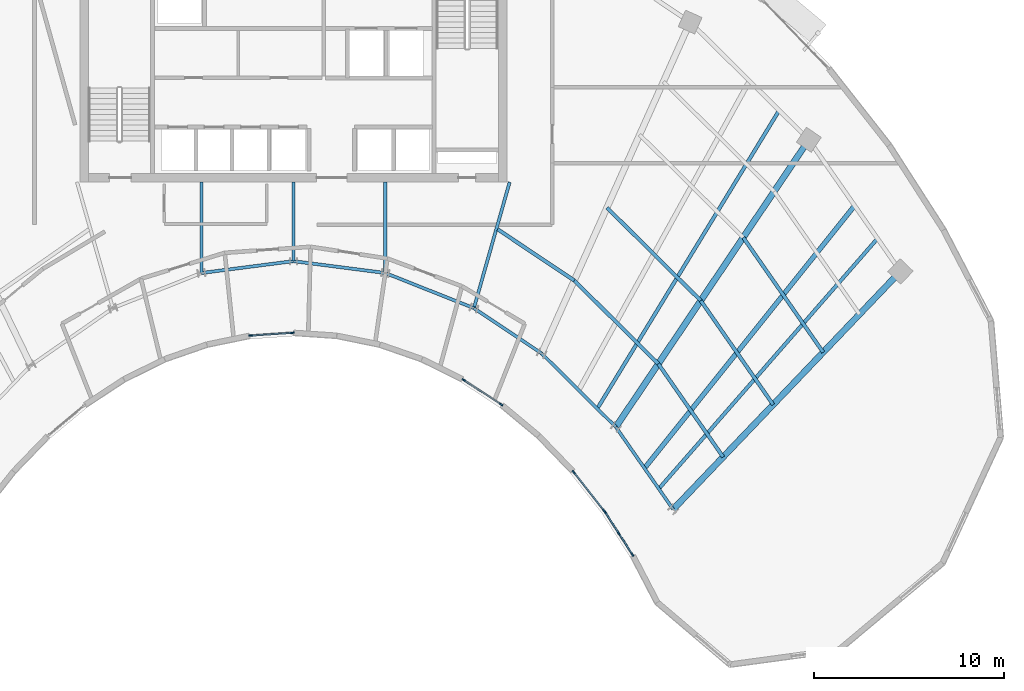
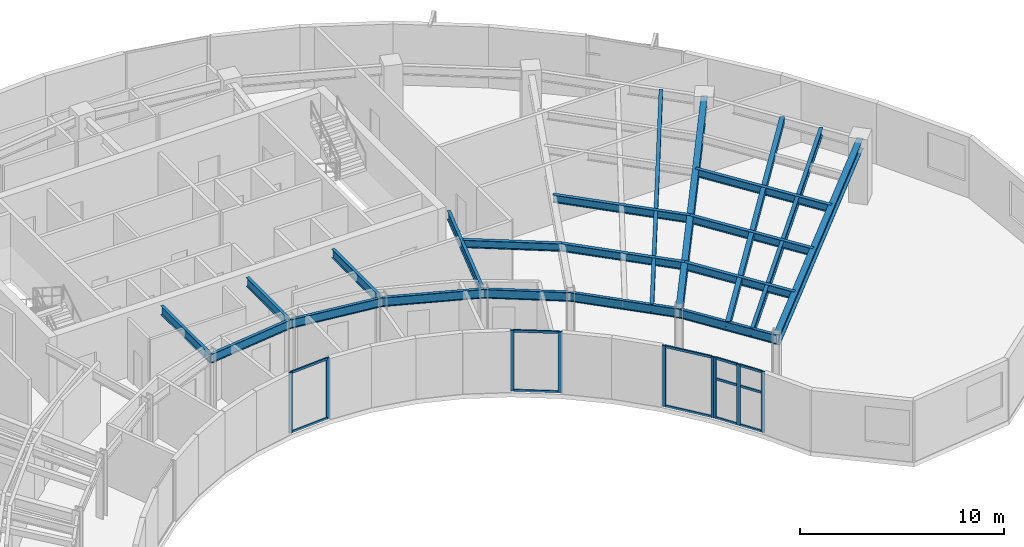
# One storey, part 3 of 14: 21 beams, 21 members, 4 elements without a shape of their own.
"""IFC4 building model written with IfcOpenShell, lengths in metres."""

from ifc_helpers import new_model, si_unit, direction, frame, origin, origin_2d, place, context, subcontext, project, spatial, rectangle, hollow_rectangle, i_section, extrude, source, transform, mapped, material, layer, layer_set, material_profile, profile_set, type_object, type_shapes, element, aggregate, save


model = new_model("IFC4")

# Units and contexts
model_context = context("Model", 3, precision=1e-05, world=origin(), true_north=direction((0.0, 1.0)))
body_context = subcontext(model_context, "Body", "Model", "MODEL_VIEW")
ifc_project = project(units=[si_unit("LENGTHUNIT", "METRE"), si_unit("AREAUNIT", "SQUARE_METRE"), si_unit("VOLUMEUNIT", "CUBIC_METRE"), si_unit("PLANEANGLEUNIT", "RADIAN"), si_unit("MASSUNIT", "GRAM", prefix="KILO")], contexts=[model_context])

# Site, building, storey
site_placement = place(None, origin())
site = spatial("IfcSite", under=ifc_project, at=site_placement, CompositionType="ELEMENT")
building_placement = place(site_placement, origin())
building = spatial("IfcBuilding", under=site, at=building_placement, Name="Breltana Convention Tower", CompositionType="ELEMENT")
storey_placement = place(building_placement, frame((0.0, 0.0, 219.60009765625)))
storey = spatial("IfcBuildingStorey", under=building, at=storey_placement, Name="L53", CompositionType="ELEMENT", Elevation=219.60009765625)

# Beams
ifc_material_1 = material(Name="Steel ASTM A992 Grade 50", Category="steel")
ifc_material_profile_1 = material_profile(ifc_material_1, i_section(OverallWidth=0.19091796875, OverallDepth=0.4599609375, WebThickness=0.010009765625, FlangeThickness=0.01611328125, at=origin_2d()), Name="W18X55")
ifc_profile_set_1 = profile_set([ifc_material_profile_1], Name="Steel ASTM A992 Grade 50")
beam_type_1 = type_object("IfcBeamType", Name="BM-JSG-07", PredefinedType="JOIST", material=ifc_profile_set_1)
shared_shape_1 = source(origin(), body_context, "Body", "SweptSolid", [
    extrude(i_section(OverallWidth=0.19091796875, OverallDepth=0.4599609375, WebThickness=0.010009765625, FlangeThickness=0.01611328125, at=origin_2d()), origin(), (0.0, 0.0, 1.0), 4.854736328125),
])
beam_1_placement = place(storey_placement, frame((58.767578125, 57.71240234375, 3.409912109375), z_axis=(0.831485074305, -0.555547091801, 0.0), x_axis=(0.555547091801, 0.831485074305, 0.0)))
element("IfcBeam", 1, at=beam_1_placement, inside=storey, type_object=beam_type_1, Name="L53 Composite Floor Joist 08.1", PredefinedType="JOIST", context=body_context, shape_type="MappedRepresentation", body=[
    mapped(shared_shape_1, transform((0.0, 0.0, 0.0), scale=1.0)),
])
shared_shape_2 = source(origin(), body_context, "Body", "SweptSolid", [
    extrude(i_section(OverallWidth=0.19091796875, OverallDepth=0.4599609375, WebThickness=0.010009765625, FlangeThickness=0.01611328125, at=origin_2d()), origin(), (0.0, 0.0, 1.0), 6.2373046875),
])
beam_2_placement = place(storey_placement, frame((62.80419921875, 55.015380859375, 3.409912109375), z_axis=(0.710114292485, -0.704086423394, 0.0), x_axis=(0.704086423394, 0.710114292485, 0.0)))
element("IfcBeam", 2, at=beam_2_placement, inside=storey, type_object=beam_type_1, Name="L53 Composite Floor Joist 09.1", PredefinedType="JOIST", context=body_context, shape_type="MappedRepresentation", body=[
    mapped(shared_shape_2, transform((0.0, 0.0, 0.0), scale=1.0)),
])
shared_shape_3 = source(origin(), body_context, "Body", "SweptSolid", [
    extrude(i_section(OverallWidth=0.19091796875, OverallDepth=0.4599609375, WebThickness=0.010009765625, FlangeThickness=0.01611328125, at=origin_2d()), origin(), (0.0, 0.0, 1.0), 6.963134765625),
])
beam_3_placement = place(storey_placement, frame((64.526611328125, 58.8564453125, 3.409912109375), z_axis=(0.71009817493, -0.704102678564, 0.0), x_axis=(0.704102678564, 0.71009817493, 0.0)))
element("IfcBeam", 3, at=beam_3_placement, inside=storey, type_object=beam_type_1, Name="L53 Composite Floor Joist 09.2", PredefinedType="JOIST", context=body_context, shape_type="MappedRepresentation", body=[
    mapped(shared_shape_3, transform((0.0, 0.0, 0.0), scale=1.0)),
])
shared_shape_4 = source(origin(), body_context, "Body", "SweptSolid", [
    extrude(i_section(OverallWidth=0.19091796875, OverallDepth=0.4599609375, WebThickness=0.010009765625, FlangeThickness=0.01611328125, at=origin_2d()), origin(), (0.0, 0.0, 1.0), 18.409423828125),
])
beam_4_placement = place(storey_placement, frame((64.017333984375, 48.263916015625, 3.409912109375), z_axis=(0.520682167606, 0.853750596098, 0.0), x_axis=(-0.853750596098, 0.520682167606, 0.0)))
element("IfcBeam", 4, at=beam_4_placement, inside=storey, type_object=beam_type_1, Name="L53 Quarter-Bay Radial Trimmer 09", PredefinedType="JOIST", context=body_context, shape_type="MappedRepresentation", body=[
    mapped(shared_shape_4, transform((0.0, 0.0, 0.0), scale=1.0)),
])
shared_shape_5 = source(origin(), body_context, "Body", "SweptSolid", [
    extrude(i_section(OverallWidth=0.19091796875, OverallDepth=0.4599609375, WebThickness=0.010009765625, FlangeThickness=0.01611328125, at=origin_2d()), origin(), (0.0, 0.0, 1.0), 5.982421875),
])
beam_5_placement = place(storey_placement, frame((67.2333984375, 50.623779296875, 3.409912109375), z_axis=(0.571211549446, -0.82080287876, 0.0), x_axis=(0.82080287876, 0.571211549446, 0.0)))
element("IfcBeam", 5, at=beam_5_placement, inside=storey, type_object=beam_type_1, Name="L53 Composite Floor Joist 10.1", PredefinedType="JOIST", context=body_context, shape_type="MappedRepresentation", body=[
    mapped(shared_shape_5, transform((0.0, 0.0, 0.0), scale=1.0)),
])
shared_shape_6 = source(origin(), body_context, "Body", "SweptSolid", [
    extrude(i_section(OverallWidth=0.19091796875, OverallDepth=0.4599609375, WebThickness=0.010009765625, FlangeThickness=0.01611328125, at=origin_2d()), origin(), (0.0, 0.0, 1.0), 6.677978515625),
])
beam_6_placement = place(storey_placement, frame((69.47119140625, 53.95361328125, 3.409912109375), z_axis=(0.571193018768, -0.820815774282, 0.0), x_axis=(0.820815774282, 0.571193018768, 0.0)))
element("IfcBeam", 6, at=beam_6_placement, inside=storey, type_object=beam_type_1, Name="L53 Composite Floor Joist 10.2", PredefinedType="JOIST", context=body_context, shape_type="MappedRepresentation", body=[
    mapped(shared_shape_6, transform((0.0, 0.0, 0.0), scale=1.0)),
])
shared_shape_7 = source(origin(), body_context, "Body", "SweptSolid", [
    extrude(i_section(OverallWidth=0.19091796875, OverallDepth=0.4599609375, WebThickness=0.010009765625, FlangeThickness=0.01611328125, at=origin_2d()), origin(), (0.0, 0.0, 1.0), 7.374267578125),
])
beam_7_placement = place(storey_placement, frame((71.70849609375, 57.28369140625, 3.409912109375), z_axis=(0.571229379406, -0.820790470281, 0.0), x_axis=(0.820790470281, 0.571229379406, 0.0)))
element("IfcBeam", 7, at=beam_7_placement, inside=storey, type_object=beam_type_1, Name="L53 Composite Floor Joist 10.3", PredefinedType="JOIST", context=body_context, shape_type="MappedRepresentation", body=[
    mapped(shared_shape_7, transform((0.0, 0.0, 0.0), scale=1.0)),
])
ifc_material_profile_2 = material_profile(ifc_material_1, hollow_rectangle(XDim=0.25, YDim=0.35009765625, WallThickness=0.011962890625, at=origin_2d()), Name="RHS350X250X12")
ifc_profile_set_2 = profile_set([ifc_material_profile_2], Name="Steel ASTM A992 Grade 50")
beam_type_2 = type_object("IfcBeamType", Name="BM-JSG-12", PredefinedType="JOIST", material=ifc_profile_set_2)
shared_shape_8 = source(origin(), body_context, "Body", "SweptSolid", [
    extrude(hollow_rectangle(XDim=0.25, YDim=0.35009765625, WallThickness=0.011962890625, at=origin_2d()), origin(), (0.0, 0.0, 1.0), 17.7236328125),
])
beam_8_placement = place(storey_placement, frame((66.505615234375, 45.124267578125, 3.46484375), z_axis=(0.624829427563, 0.78076128647, 0.0), x_axis=(-0.78076128647, 0.624829427563, 0.0)))
element("IfcBeam", 8, at=beam_8_placement, inside=storey, type_object=beam_type_2, Name="L53 Mid-Bay Radial Trimmer 10", PredefinedType="JOIST", context=body_context, shape_type="MappedRepresentation", body=[
    mapped(shared_shape_8, transform((0.0, 0.0, 0.0), scale=1.0)),
])
shared_shape_9 = source(origin(), body_context, "Body", "SweptSolid", [
    extrude(i_section(OverallWidth=0.19091796875, OverallDepth=0.4599609375, WebThickness=0.010009765625, FlangeThickness=0.01611328125, at=origin_2d()), origin(), (0.0, 0.0, 1.0), 17.515625),
])
beam_9_placement = place(storey_placement, frame((67.260498046875, 44.03955078125, 3.409912109375), z_axis=(0.658051548324, 0.752972881151, 0.0), x_axis=(-0.752972881151, 0.658051548324, 0.0)))
element("IfcBeam", 9, at=beam_9_placement, inside=storey, type_object=beam_type_1, Name="L53 Quarter-Bay Radial Trimmer 10", PredefinedType="JOIST", context=body_context, shape_type="MappedRepresentation", body=[
    mapped(shared_shape_9, transform((0.0, 0.0, 0.0), scale=1.0)),
])
ifc_material_profile_3 = material_profile(ifc_material_1, i_section(OverallWidth=0.166015625, OverallDepth=0.534912109375, WebThickness=0.01025390625, FlangeThickness=0.0166015625, at=origin_2d()), Name="W21X57")
ifc_profile_set_3 = profile_set([ifc_material_profile_3], Name="Steel ASTM A992 Grade 50")
beam_type_3 = type_object("IfcBeamType", Name="BM-BM-W21X57", PredefinedType="BEAM", material=ifc_profile_set_3)
shared_shape_10 = source(origin(), body_context, "Body", "SweptSolid", [
    extrude(i_section(OverallWidth=0.166015625, OverallDepth=0.534912109375, WebThickness=0.01025390625, FlangeThickness=0.0166015625, at=origin_2d()), origin(), (0.0, 0.0, 1.0), 6.904541015625),
])
type_shapes(beam_type_3, [shared_shape_10])
beam_10_placement = place(storey_placement, frame((59.39990234375, 60.199951171875, 3.372314453125), z_axis=(-0.273006781054, -0.962012108811, 0.0), x_axis=(0.962012108811, -0.273006781054, 0.0)))
element("IfcBeam", 10, at=beam_10_placement, inside=storey, type_object=beam_type_3, Name="L53 South Core Tie Girder R08", PredefinedType="BEAM", context=body_context, shape_type="MappedRepresentation", body=[
    mapped(shared_shape_10, transform((0.0, 0.0, 0.0), scale=1.0)),
])
shared_shape_11 = source(origin(), body_context, "Body", "SweptSolid", [
    extrude(i_section(OverallWidth=0.166015625, OverallDepth=0.534912109375, WebThickness=0.01025390625, FlangeThickness=0.0166015625, at=origin_2d()), origin(), (0.0, 0.0, 1.0), 4.789306640625),
])
for number, where, z_axis, x_axis, name in (
    (11, (43.153564453125, 60.199951171875, 3.372314453125), (0.0, -1.0, 0.0), (1.0, 0.0, 0.0), "L53 South Core Tie Girder R05"),
    (12, (52.846435546875, 60.199951171875, 3.372314453125), (0.0, -1.0, 0.0), (1.0, 0.0, 0.0), "L53 South Core Tie Girder R07"),
):
    element("IfcBeam", number, at=place(storey_placement, frame(where, z_axis=z_axis, x_axis=x_axis)), inside=storey, type_object=beam_type_3, Name=name, PredefinedType="BEAM", context=body_context, shape_type="MappedRepresentation", body=[
        mapped(shared_shape_11, transform((0.0, 0.0, 0.0), scale=1.0)),
    ])
shared_shape_12 = source(origin(), body_context, "Body", "SweptSolid", [
    extrude(i_section(OverallWidth=0.166015625, OverallDepth=0.534912109375, WebThickness=0.01025390625, FlangeThickness=0.0166015625, at=origin_2d()), origin(), (0.0, 0.0, 1.0), 4.1640625),
])
beam_11_placement = place(storey_placement, frame((48.0, 60.199951171875, 3.372314453125), z_axis=(0.0, -1.0, 0.0), x_axis=(1.0, 0.0, 0.0)))
element("IfcBeam", 13, at=beam_11_placement, inside=storey, type_object=beam_type_3, Name="L53 South Core Tie Girder R06", PredefinedType="BEAM", context=body_context, shape_type="MappedRepresentation", body=[
    mapped(shared_shape_12, transform((0.0, 0.0, 0.0), scale=1.0)),
])
shared_shape_13 = source(origin(), body_context, "Body", "SweptSolid", [
    extrude(i_section(OverallWidth=0.166015625, OverallDepth=0.534912109375, WebThickness=0.01025390625, FlangeThickness=0.0166015625, at=origin_2d()), origin(), (0.0, 0.0, 1.0), 5.022705078125),
])
beam_12_placement = place(storey_placement, frame((52.846435546875, 55.41064453125, 3.372314453125), z_axis=(0.929458966248, -0.368925507469, 0.0), x_axis=(0.368925507469, 0.929458966248, 0.0)))
element("IfcBeam", 14, at=beam_12_placement, inside=storey, type_object=beam_type_3, Name="L53 Inner Ring Beam 07", PredefinedType="BEAM", context=body_context, shape_type="MappedRepresentation", body=[
    mapped(shared_shape_13, transform((0.0, 0.0, 0.0), scale=1.0)),
])
shared_shape_14 = source(origin(), body_context, "Body", "SweptSolid", [
    extrude(i_section(OverallWidth=0.166015625, OverallDepth=0.534912109375, WebThickness=0.01025390625, FlangeThickness=0.0166015625, at=origin_2d()), origin(), (0.0, 0.0, 1.0), 4.88671875),
])
for number, where, z_axis, x_axis, name in (
    (15, (43.153564453125, 55.41064453125, 3.372314453125), (0.991780525565, 0.127950729231, 0.0), (-0.127950729231, 0.991780525565, 0.0), "L53 Inner Ring Beam 05"),
    (16, (48.0, 56.035888671875, 3.372314453125), (0.991780525565, -0.127950729231, 0.0), (0.127950729231, 0.991780525565, 0.0), "L53 Inner Ring Beam 06"),
):
    element("IfcBeam", number, at=place(storey_placement, frame(where, z_axis=z_axis, x_axis=x_axis)), inside=storey, type_object=beam_type_3, Name=name, PredefinedType="BEAM", context=body_context, shape_type="MappedRepresentation", body=[
        mapped(shared_shape_14, transform((0.0, 0.0, 0.0), scale=1.0)),
    ])
shared_shape_15 = source(origin(), body_context, "Body", "SweptSolid", [
    extrude(i_section(OverallWidth=0.166015625, OverallDepth=0.534912109375, WebThickness=0.01025390625, FlangeThickness=0.0166015625, at=origin_2d()), origin(), (0.0, 0.0, 1.0), 4.2900390625),
])
beam_13_placement = place(storey_placement, frame((57.514892578125, 53.5576171875, 3.372314453125), z_axis=(0.831515827753, -0.555501060482, 0.0), x_axis=(0.555501060482, 0.831515827753, 0.0)))
element("IfcBeam", 17, at=beam_13_placement, inside=storey, type_object=beam_type_3, Name="L53 Inner Ring Beam 08", PredefinedType="BEAM", context=body_context, shape_type="MappedRepresentation", body=[
    mapped(shared_shape_15, transform((0.0, 0.0, 0.0), scale=1.0)),
])
shared_shape_16 = source(origin(), body_context, "Body", "SweptSolid", [
    extrude(i_section(OverallWidth=0.166015625, OverallDepth=0.534912109375, WebThickness=0.01025390625, FlangeThickness=0.0166015625, at=origin_2d()), origin(), (0.0, 0.0, 1.0), 5.51171875),
])
beam_14_placement = place(storey_placement, frame((61.08203125, 51.174560546875, 3.372314453125), z_axis=(0.710090360749, -0.704110559196, 0.0), x_axis=(0.704110559196, 0.710090360749, 0.0)))
element("IfcBeam", 18, at=beam_14_placement, inside=storey, type_object=beam_type_3, Name="L53 Inner Ring Beam 09", PredefinedType="BEAM", context=body_context, shape_type="MappedRepresentation", body=[
    mapped(shared_shape_16, transform((0.0, 0.0, 0.0), scale=1.0)),
])
shared_shape_17 = source(origin(), body_context, "Body", "SweptSolid", [
    extrude(i_section(OverallWidth=0.166015625, OverallDepth=0.534912109375, WebThickness=0.01025390625, FlangeThickness=0.0166015625, at=origin_2d()), origin(), (0.0, 0.0, 1.0), 5.286376953125),
])
beam_15_placement = place(storey_placement, frame((64.995849609375, 47.293701171875, 3.372314453125), z_axis=(0.571194382458, -0.82081482531, 0.0), x_axis=(0.82081482531, 0.571194382458, 0.0)))
element("IfcBeam", 19, at=beam_15_placement, inside=storey, type_object=beam_type_3, Name="L53 Inner Ring Beam 10", PredefinedType="BEAM", context=body_context, shape_type="MappedRepresentation", body=[
    mapped(shared_shape_17, transform((0.0, 0.0, 0.0), scale=1.0)),
])
ifc_material_profile_4 = material_profile(ifc_material_1, i_section(OverallWidth=0.326904296875, OverallDepth=0.6220703125, WebThickness=0.015380859375, FlangeThickness=0.0244140625, at=origin_2d()), Name="W24X131")
ifc_profile_set_4 = profile_set([ifc_material_profile_4], Name="Steel ASTM A992 Grade 50")
beam_type_4 = type_object("IfcBeamType", Name="BM-RG-W24X131", PredefinedType="USERDEFINED", material=ifc_profile_set_4)
shared_shape_18 = source(origin(), body_context, "Body", "SweptSolid", [
    extrude(i_section(OverallWidth=0.326904296875, OverallDepth=0.6220703125, WebThickness=0.015380859375, FlangeThickness=0.0244140625, at=origin_2d()), origin(), (0.0, 0.0, 1.0), 17.341064453125),
])
type_shapes(beam_type_4, [shared_shape_18])
beam_16_placement = place(storey_placement, frame((68.015380859375, 42.95458984375, 3.328857421875), z_axis=(0.690716462293, 0.723125693581, 0.0), x_axis=(-0.723125693581, 0.690716462293, 0.0)))
element("IfcBeam", 20, at=beam_16_placement, inside=storey, type_object=beam_type_4, Name="L53 Radial Floor Girder R11", ObjectType="GIRDER", PredefinedType="USERDEFINED", context=body_context, shape_type="MappedRepresentation", body=[
    mapped(shared_shape_18, transform((0.0, 0.0, 0.0), scale=1.0)),
])
shared_shape_19 = source(origin(), body_context, "Body", "SweptSolid", [
    extrude(i_section(OverallWidth=0.326904296875, OverallDepth=0.6220703125, WebThickness=0.015380859375, FlangeThickness=0.0244140625, at=origin_2d()), origin(), (0.0, 0.0, 1.0), 18.236328125),
])
beam_17_placement = place(storey_placement, frame((64.995849609375, 47.293701171875, 3.328857421875), z_axis=(0.557730360975, 0.830022195153, 0.0), x_axis=(-0.830022195153, 0.557730360975, 0.0)))
element("IfcBeam", 21, at=beam_17_placement, inside=storey, type_object=beam_type_4, Name="L53 Radial Floor Girder R10", ObjectType="GIRDER", PredefinedType="USERDEFINED", context=body_context, shape_type="MappedRepresentation", body=[
    mapped(shared_shape_19, transform((0.0, 0.0, 0.0), scale=1.0)),
])

# Curtain wall, members
ifc_material_2 = material(Name="Aluminium Anodised Bronze Frame", Category="aluminium")
ifc_layer = layer(ifc_material_2, 0.18994140625, Name="Aluminium Anodised Bronze Frame")
ifc_layer_set = layer_set([ifc_layer], Name="Aluminium Anodised Bronze Frame")
curtain_wall_type = type_object("IfcCurtainWallType", Name="CW-SYS-1", PredefinedType="NOTDEFINED", material=ifc_layer_set)
curtain_wall_1_placement = place(storey_placement, origin())
curtain_wall_1 = element("IfcCurtainWall", 22, at=curtain_wall_1_placement, inside=storey, type_object=curtain_wall_type, Name="L53 inner south-court glazing 1", PredefinedType="NOTDEFINED")
ifc_material_3 = material(Name="Aluminium Anodised Bronze", Category="aluminium")
ifc_material_profile_5 = material_profile(ifc_material_3, rectangle(XDim=0.080078125, YDim=0.139892578125, at=origin_2d()), Name="CWT-80X140")
ifc_profile_set_5 = profile_set([ifc_material_profile_5], Name="Aluminium Anodised Bronze")
member_type_1 = type_object("IfcMemberType", Name="CWT-140", PredefinedType="USERDEFINED", material=ifc_profile_set_5)
shared_shape_20 = source(origin(), body_context, "Body", "SweptSolid", [
    extrude(rectangle(XDim=0.080078125, YDim=0.139892578125, at=origin_2d()), origin(), (0.0, 0.0, 1.0), 1.251220703125),
])
member_1_placement = place(storey_placement, frame((65.84716796875, 40.6025390625, 0.039794921875), z_axis=(-0.540116397582, 0.841590326146, 0.0), x_axis=(-0.841590326146, -0.540116397582, 0.0)))
member_1 = element("IfcMember", 23, at=member_1_placement, type_object=member_type_1, Name="CW-01 transom 1.1", ObjectType="TRANSOM", PredefinedType="USERDEFINED", context=body_context, shape_type="MappedRepresentation", body=[
    mapped(shared_shape_20, transform((0.0, 0.0, 0.0), scale=1.0)),
])
member_2_placement = place(storey_placement, frame((65.84716796875, 40.6025390625, 2.365966796875), z_axis=(-0.540116397582, 0.841590326146, 0.0), x_axis=(-0.841590326146, -0.540116397582, 0.0)))
member_2 = element("IfcMember", 24, at=member_2_placement, type_object=member_type_1, Name="CW-01 transom 1.2", ObjectType="TRANSOM", PredefinedType="USERDEFINED", context=body_context, shape_type="MappedRepresentation", body=[
    mapped(shared_shape_20, transform((0.0, 0.0, 0.0), scale=1.0)),
])
member_3_placement = place(storey_placement, frame((65.84716796875, 40.6025390625, 3.599853515625), z_axis=(-0.540116397582, 0.841590326146, 0.0), x_axis=(-0.841590326146, -0.540116397582, 0.0)))
member_3 = element("IfcMember", 25, at=member_3_placement, type_object=member_type_1, Name="CW-01 transom 1.3", ObjectType="TRANSOM", PredefinedType="USERDEFINED", context=body_context, shape_type="MappedRepresentation", body=[
    mapped(shared_shape_20, transform((0.0, 0.0, 0.0), scale=1.0)),
])
shared_shape_21 = source(origin(), body_context, "Body", "SweptSolid", [
    extrude(rectangle(XDim=0.080078125, YDim=0.139892578125, at=origin_2d()), origin(), (0.0, 0.0, 1.0), 1.2509765625),
])
member_4_placement = place(storey_placement, frame((65.128173828125, 41.722900390625, 0.039794921875), z_axis=(-0.54020510624, 0.841533388044, 0.0), x_axis=(-0.841533388044, -0.54020510624, 0.0)))
member_4 = element("IfcMember", 26, at=member_4_placement, type_object=member_type_1, Name="CW-01 transom 2.1", ObjectType="TRANSOM", PredefinedType="USERDEFINED", context=body_context, shape_type="MappedRepresentation", body=[
    mapped(shared_shape_21, transform((0.0, 0.0, 0.0), scale=1.0)),
])
member_5_placement = place(storey_placement, frame((65.128173828125, 41.722900390625, 2.365966796875), z_axis=(-0.54020510624, 0.841533388044, 0.0), x_axis=(-0.841533388044, -0.54020510624, 0.0)))
member_5 = element("IfcMember", 27, at=member_5_placement, type_object=member_type_1, Name="CW-01 transom 2.2", ObjectType="TRANSOM", PredefinedType="USERDEFINED", context=body_context, shape_type="MappedRepresentation", body=[
    mapped(shared_shape_21, transform((0.0, 0.0, 0.0), scale=1.0)),
])
member_6_placement = place(storey_placement, frame((65.128173828125, 41.722900390625, 3.599853515625), z_axis=(-0.54020510624, 0.841533388044, 0.0), x_axis=(-0.841533388044, -0.54020510624, 0.0)))
member_6 = element("IfcMember", 28, at=member_6_placement, type_object=member_type_1, Name="CW-01 transom 2.3", ObjectType="TRANSOM", PredefinedType="USERDEFINED", context=body_context, shape_type="MappedRepresentation", body=[
    mapped(shared_shape_21, transform((0.0, 0.0, 0.0), scale=1.0)),
])

curtain_wall_2_placement = place(storey_placement, origin())
curtain_wall_2 = element("IfcCurtainWall", 29, at=curtain_wall_2_placement, inside=storey, type_object=curtain_wall_type, Name="L53 inner south-court glazing 2", PredefinedType="NOTDEFINED")
shared_shape_22 = source(origin(), body_context, "Body", "SweptSolid", [
    extrude(rectangle(XDim=0.080078125, YDim=0.139892578125, at=origin_2d()), origin(), (0.0, 0.0, 1.0), 2.505859375),
])
member_7_placement = place(storey_placement, frame((64.349853515625, 42.919921875, 0.039794921875), z_axis=(-0.618174316854, 0.786041038357, 0.0), x_axis=(-0.786041038357, -0.618174316854, 0.0)))
member_7 = element("IfcMember", 30, at=member_7_placement, type_object=member_type_1, Name="CW-01 transom 1.1", ObjectType="TRANSOM", PredefinedType="USERDEFINED", context=body_context, shape_type="MappedRepresentation", body=[
    mapped(shared_shape_22, transform((0.0, 0.0, 0.0), scale=1.0)),
])
member_8_placement = place(storey_placement, frame((64.349853515625, 42.919921875, 3.599853515625), z_axis=(-0.618174316854, 0.786041038357, 0.0), x_axis=(-0.786041038357, -0.618174316854, 0.0)))
member_8 = element("IfcMember", 31, at=member_8_placement, type_object=member_type_1, Name="CW-01 transom 1.2", ObjectType="TRANSOM", PredefinedType="USERDEFINED", context=body_context, shape_type="MappedRepresentation", body=[
    mapped(shared_shape_22, transform((0.0, 0.0, 0.0), scale=1.0)),
])

curtain_wall_3_placement = place(storey_placement, origin())
curtain_wall_3 = element("IfcCurtainWall", 32, at=curtain_wall_3_placement, inside=storey, type_object=curtain_wall_type, Name="L53 inner south-court glazing 3", PredefinedType="NOTDEFINED")
shared_shape_23 = source(origin(), body_context, "Body", "SweptSolid", [
    extrude(rectangle(XDim=0.080078125, YDim=0.139892578125, at=origin_2d()), origin(), (0.0, 0.0, 1.0), 2.2802734375),
])
member_9_placement = place(storey_placement, frame((58.916015625, 48.505615234375, 0.039794921875), z_axis=(-0.835998794371, 0.548731278324, 0.0), x_axis=(-0.548731278324, -0.835998794371, 0.0)))
member_9 = element("IfcMember", 33, at=member_9_placement, type_object=member_type_1, Name="CW-01 transom 1.1", ObjectType="TRANSOM", PredefinedType="USERDEFINED", context=body_context, shape_type="MappedRepresentation", body=[
    mapped(shared_shape_23, transform((0.0, 0.0, 0.0), scale=1.0)),
])
member_10_placement = place(storey_placement, frame((58.916015625, 48.505615234375, 3.599853515625), z_axis=(-0.835998794371, 0.548731278324, 0.0), x_axis=(-0.548731278324, -0.835998794371, 0.0)))
member_10 = element("IfcMember", 34, at=member_10_placement, type_object=member_type_1, Name="CW-01 transom 1.2", ObjectType="TRANSOM", PredefinedType="USERDEFINED", context=body_context, shape_type="MappedRepresentation", body=[
    mapped(shared_shape_23, transform((0.0, 0.0, 0.0), scale=1.0)),
])

curtain_wall_4_placement = place(storey_placement, origin())
curtain_wall_4 = element("IfcCurtainWall", 35, at=curtain_wall_4_placement, inside=storey, type_object=curtain_wall_type, Name="L53 inner south-court glazing 4", PredefinedType="NOTDEFINED")
shared_shape_24 = source(origin(), body_context, "Body", "SweptSolid", [
    extrude(rectangle(XDim=0.080078125, YDim=0.139892578125, at=origin_2d()), origin(), (0.0, 0.0, 1.0), 2.114013671875),
])
member_11_placement = place(storey_placement, frame((47.907958984375, 52.257080078125, 0.039794921875), z_axis=(-0.997707323694, -0.067676408344, 0.0), x_axis=(0.067676408344, -0.997707323694, 0.0)))
member_11 = element("IfcMember", 36, at=member_11_placement, type_object=member_type_1, Name="CW-01 transom 1.1", ObjectType="TRANSOM", PredefinedType="USERDEFINED", context=body_context, shape_type="MappedRepresentation", body=[
    mapped(shared_shape_24, transform((0.0, 0.0, 0.0), scale=1.0)),
])
member_12_placement = place(storey_placement, frame((47.907958984375, 52.257080078125, 3.599853515625), z_axis=(-0.997707323694, -0.067676408344, 0.0), x_axis=(0.067676408344, -0.997707323694, 0.0)))
member_12 = element("IfcMember", 37, at=member_12_placement, type_object=member_type_1, Name="CW-01 transom 1.2", ObjectType="TRANSOM", PredefinedType="USERDEFINED", context=body_context, shape_type="MappedRepresentation", body=[
    mapped(shared_shape_24, transform((0.0, 0.0, 0.0), scale=1.0)),
])

# Member
ifc_material_profile_6 = material_profile(ifc_material_3, rectangle(XDim=0.080078125, YDim=0.199951171875, at=origin_2d()), Name="CWM-80X200")
ifc_profile_set_6 = profile_set([ifc_material_profile_6], Name="Aluminium Anodised Bronze")
member_type_2 = type_object("IfcMemberType", Name="CWM-200", PredefinedType="MULLION", material=ifc_profile_set_6)
shared_shape_25 = source(origin(), body_context, "Body", "SweptSolid", [
    extrude(rectangle(XDim=0.080078125, YDim=0.199951171875, at=origin_2d()), origin(), (0.0, 0.0, 1.0), 3.639892578125),
])
member_13_placement = place(storey_placement, frame((65.868896484375, 40.56884765625, 0.0), z_axis=(0.0, 0.0, 1.0), x_axis=(-0.841546766968, -0.540184263938, 0.0)))
member_13 = element("IfcMember", 38, at=member_13_placement, type_object=member_type_2, Name="CW-01 mullion 1", PredefinedType="MULLION", context=body_context, shape_type="MappedRepresentation", body=[
    mapped(shared_shape_25, transform((0.0, 0.0, 0.0), scale=1.0)),
])

member_14_placement = place(storey_placement, frame((65.14990234375, 41.689208984375, 0.0), z_axis=(0.0, 0.0, 1.0), x_axis=(-0.841546766968, -0.540184263938, 0.0)))
member_14 = element("IfcMember", 39, at=member_14_placement, type_object=member_type_2, Name="CW-01 mullion 2", PredefinedType="MULLION", context=body_context, shape_type="MappedRepresentation", body=[
    mapped(shared_shape_25, transform((0.0, 0.0, 0.0), scale=1.0)),
])

member_15_placement = place(storey_placement, frame((64.430908203125, 42.809326171875, 0.0), z_axis=(0.0, 0.0, 1.0), x_axis=(-0.841546766968, -0.540184263938, 0.0)))
member_15 = element("IfcMember", 40, at=member_15_placement, type_object=member_type_2, Name="CW-01 mullion 3", PredefinedType="MULLION", context=body_context, shape_type="MappedRepresentation", body=[
    mapped(shared_shape_25, transform((0.0, 0.0, 0.0), scale=1.0)),
])

aggregate(curtain_wall_1, [member_13, member_14, member_15, member_1, member_2, member_3, member_4, member_5, member_6])

member_16_placement = place(storey_placement, frame((64.37451171875, 42.888427734375, 0.0), z_axis=(0.0, 0.0, 1.0), x_axis=(-0.786060526937, -0.6181495353, 0.0)))
member_16 = element("IfcMember", 41, at=member_16_placement, type_object=member_type_2, Name="CW-01 mullion 1", PredefinedType="MULLION", context=body_context, shape_type="MappedRepresentation", body=[
    mapped(shared_shape_25, transform((0.0, 0.0, 0.0), scale=1.0)),
])

member_17_placement = place(storey_placement, frame((62.776123046875, 44.921142578125, 0.0), z_axis=(0.0, 0.0, 1.0), x_axis=(-0.786060526937, -0.6181495353, 0.0)))
member_17 = element("IfcMember", 42, at=member_17_placement, type_object=member_type_2, Name="CW-01 mullion 2", PredefinedType="MULLION", context=body_context, shape_type="MappedRepresentation", body=[
    mapped(shared_shape_25, transform((0.0, 0.0, 0.0), scale=1.0)),
])

aggregate(curtain_wall_2, [member_16, member_17, member_7, member_8])

member_18_placement = place(storey_placement, frame((58.949462890625, 48.483642578125, 0.0), z_axis=(0.0, 0.0, 1.0), x_axis=(-0.548756690502, -0.835982113821, 0.0)))
member_18 = element("IfcMember", 43, at=member_18_placement, type_object=member_type_2, Name="CW-01 mullion 1", PredefinedType="MULLION", context=body_context, shape_type="MappedRepresentation", body=[
    mapped(shared_shape_25, transform((0.0, 0.0, 0.0), scale=1.0)),
])

member_19_placement = place(storey_placement, frame((56.976318359375, 49.77880859375, 0.0), z_axis=(0.0, 0.0, 1.0), x_axis=(-0.548756690502, -0.835982113821, 0.0)))
member_19 = element("IfcMember", 44, at=member_19_placement, type_object=member_type_2, Name="CW-01 mullion 2", PredefinedType="MULLION", context=body_context, shape_type="MappedRepresentation", body=[
    mapped(shared_shape_25, transform((0.0, 0.0, 0.0), scale=1.0)),
])

aggregate(curtain_wall_3, [member_18, member_19, member_9, member_10])

member_20_placement = place(storey_placement, frame((47.947998046875, 52.260009765625, 0.0), z_axis=(0.0, 0.0, 1.0), x_axis=(0.067724435121, -0.997704064785, 0.0)))
member_20 = element("IfcMember", 45, at=member_20_placement, type_object=member_type_2, Name="CW-01 mullion 1", PredefinedType="MULLION", context=body_context, shape_type="MappedRepresentation", body=[
    mapped(shared_shape_25, transform((0.0, 0.0, 0.0), scale=1.0)),
])

member_21_placement = place(storey_placement, frame((45.759033203125, 52.111328125, 0.0), z_axis=(0.0, 0.0, 1.0), x_axis=(0.067724435121, -0.997704064785, 0.0)))
member_21 = element("IfcMember", 46, at=member_21_placement, type_object=member_type_2, Name="CW-01 mullion 2", PredefinedType="MULLION", context=body_context, shape_type="MappedRepresentation", body=[
    mapped(shared_shape_25, transform((0.0, 0.0, 0.0), scale=1.0)),
])

aggregate(curtain_wall_4, [member_20, member_21, member_11, member_12])

save(model, "model.ifc")
